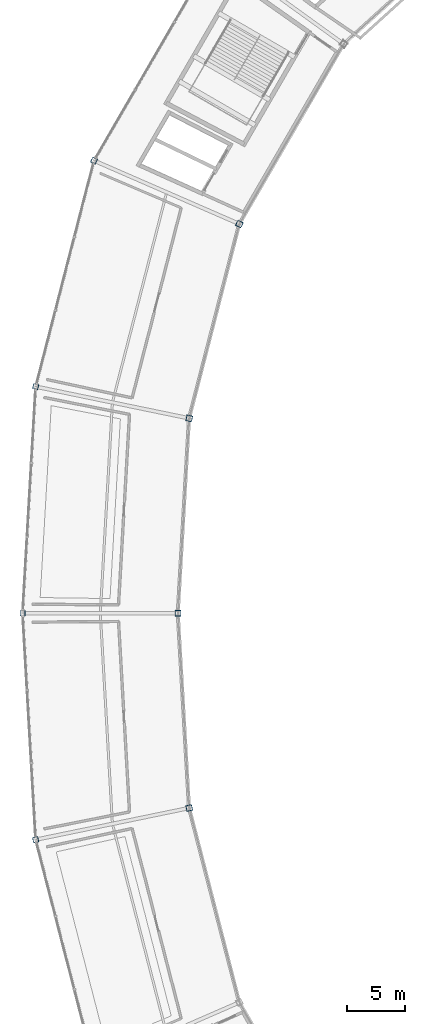
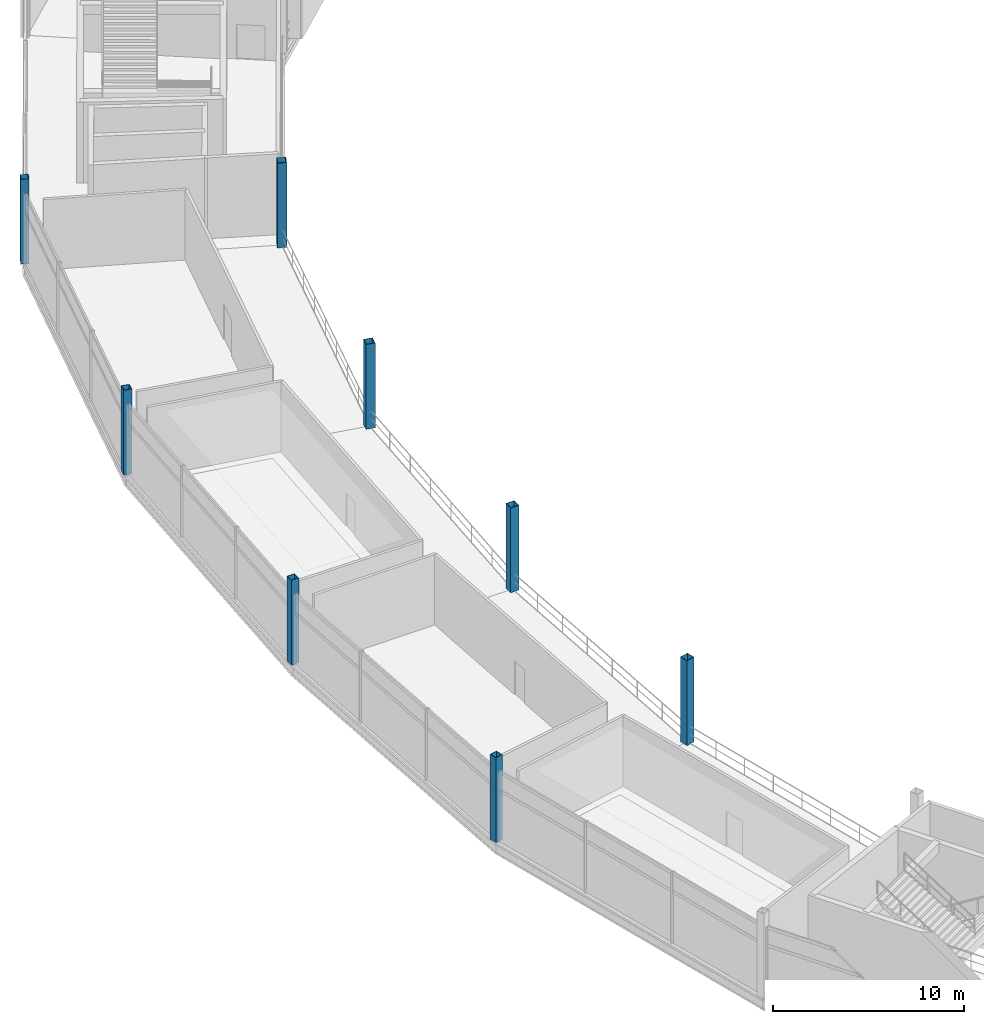
# One storey, part 4 of 103: 8 columns.
"""IFC4 building model written with IfcOpenShell, lengths in metres."""

from ifc_helpers import new_model, si_unit, direction, frame, origin, origin_2d, place, context, subcontext, project, spatial, hollow_rectangle, extrude, material, material_profile, profile_set, type_object, element, save


model = new_model("IFC4")

# Units and contexts
model_context = context("Model", 3, precision=1e-05, world=origin(), true_north=direction((0.0, 1.0)))
body_context = subcontext(model_context, "Body", "Model", "MODEL_VIEW")
ifc_project = project(units=[si_unit("LENGTHUNIT", "METRE"), si_unit("AREAUNIT", "SQUARE_METRE"), si_unit("VOLUMEUNIT", "CUBIC_METRE"), si_unit("PLANEANGLEUNIT", "RADIAN"), si_unit("MASSUNIT", "GRAM", prefix="KILO")], contexts=[model_context])

# Site, building, storey
site_placement = place(None, origin())
site = spatial("IfcSite", under=ifc_project, at=site_placement, CompositionType="ELEMENT")
building_placement = place(site_placement, origin())
building = spatial("IfcBuilding", under=site, at=building_placement, Name="Kazemori Nagisa Stadium", CompositionType="ELEMENT")
storey_placement = place(building_placement, frame((0.0, 0.0, 25.840087890625)))
storey = spatial("IfcBuildingStorey", under=building, at=storey_placement, Name="L05", CompositionType="ELEMENT", Elevation=25.840087890625)

# Columns
ifc_material = material(Name="Steel STKR490", Category="steel")
ifc_material_profile_1 = material_profile(ifc_material, hollow_rectangle(XDim=0.449951171875, YDim=0.449951171875, WallThickness=0.02197265625, at=origin_2d()), Name="SHS-450x450x22")
ifc_profile_set_1 = profile_set([ifc_material_profile_1], Name="Steel STKR490")
column_type_1 = type_object("IfcColumnType", Name="Column_C-ST450", PredefinedType="COLUMN", material=ifc_profile_set_1)
for number, where, z_axis, x_axis, name in (
    (1, (34.114990234375, 140.74951171875, 0.0), (0.0, 0.0, 1.0), (-0.900968867905, 0.433883739113, 0.0), "Column C-ST450 L05 R3-13"),
    (2, (29.119140625, 121.397705078125, 0.0), (0.0, 0.0, 1.0), (-0.974927912182, 0.222520933954, 0.0), "Column C-ST450 L05 R3-14"),
    (3, (28.0, 102.0, 0.0), (0.0, 0.0, 1.0), (-1.0, 0.0, 0.0), "Column C-ST450 L05 R3-15"),
    (4, (29.119140625, 82.602294921875, 0.0), (0.0, 0.0, 1.0), (-0.974927912182, -0.222520933954, 0.0), "Column C-ST450 L05 R3-16"),
):
    element("IfcColumn", number, at=place(storey_placement, frame(where, z_axis=z_axis, x_axis=x_axis)), inside=storey, type_object=column_type_1, Name=name, PredefinedType="COLUMN", context=body_context, shape_type="SweptSolid", body=[
        extrude(hollow_rectangle(XDim=0.449951171875, YDim=0.449951171875, WallThickness=0.02197265625, at=origin_2d()), origin(), (0.0, 0.0, 1.0), 5.43994140625),
    ])
ifc_material_profile_2 = material_profile(ifc_material, hollow_rectangle(XDim=0.5, YDim=0.5, WallThickness=0.02197265625, at=origin_2d()), Name="SHS-500x500x22")
ifc_profile_set_2 = profile_set([ifc_material_profile_2], Name="Steel STKR490")
column_type_2 = type_object("IfcColumnType", Name="Column_C-ST500", PredefinedType="COLUMN", material=ifc_profile_set_2)
for number, where, z_axis, x_axis, name in (
    (5, (46.55908203125, 135.32470703125, 0.0), (0.0, 0.0, 1.0), (-0.900968867905, 0.433883739113, 0.0), "Column C-ST500 L05 R2-13"),
    (6, (42.262451171875, 118.68212890625, 0.0), (0.0, 0.0, 1.0), (-0.974927912182, 0.222520933954, 0.0), "Column C-ST500 L05 R2-14"),
    (7, (41.300048828125, 102.0, 0.0), (0.0, 0.0, 1.0), (-1.0, 0.0, 0.0), "Column C-ST500 L05 R2-15"),
    (8, (42.262451171875, 85.31787109375, 0.0), (0.0, 0.0, 1.0), (-0.974927912182, -0.222520933954, 0.0), "Column C-ST500 L05 R2-16"),
):
    element("IfcColumn", number, at=place(storey_placement, frame(where, z_axis=z_axis, x_axis=x_axis)), inside=storey, type_object=column_type_2, Name=name, PredefinedType="COLUMN", context=body_context, shape_type="SweptSolid", body=[
        extrude(hollow_rectangle(XDim=0.5, YDim=0.5, WallThickness=0.02197265625, at=origin_2d()), origin(), (0.0, 0.0, 1.0), 5.43994140625),
    ])

save(model, "model.ifc")
